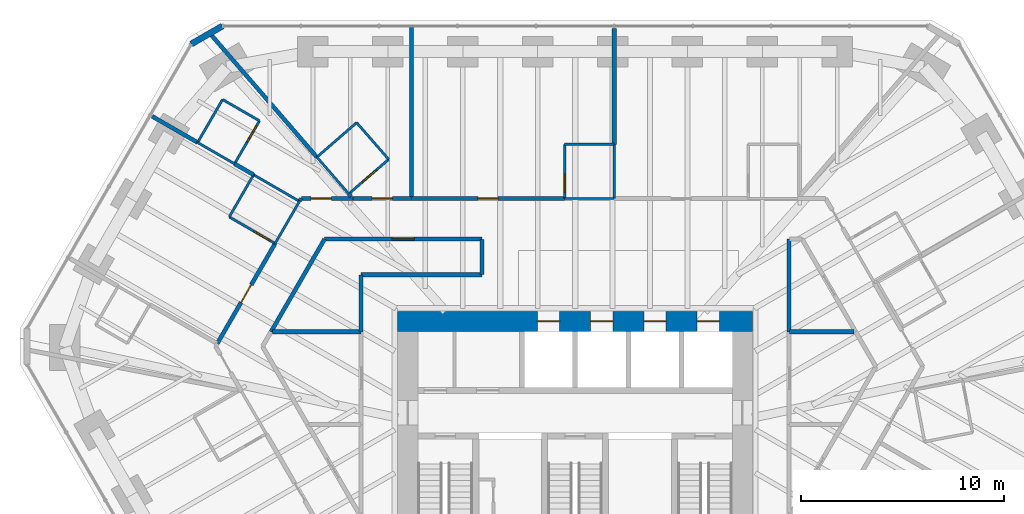
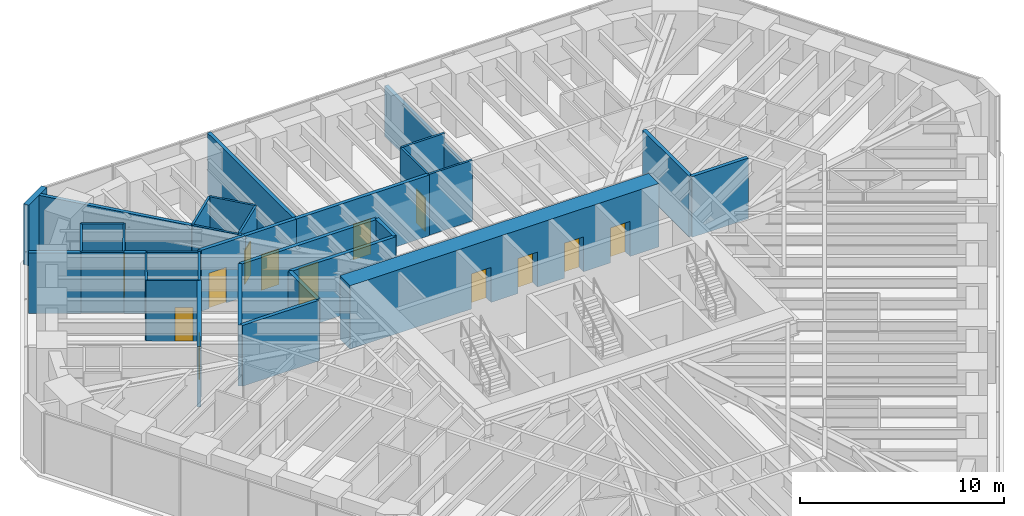
# One storey, part 14 of 16: 37 walls, 13 doors, 13 openings.
"""IFC4 building model written with IfcOpenShell, lengths in metres."""

from ifc_helpers import new_model, si_unit, direction, frame, frame_2d, origin, place, context, subcontext, project, spatial, rectangle, extrude, material, layer, layer_set, type_object, element, fill, save


model = new_model("IFC4")

# Units and contexts
model_context = context("Model", 3, precision=1e-05, world=origin(), true_north=direction((0.0, 1.0)))
body_context = subcontext(model_context, "Body", "Model", "MODEL_VIEW")
ifc_project = project(units=[si_unit("LENGTHUNIT", "METRE"), si_unit("AREAUNIT", "SQUARE_METRE"), si_unit("VOLUMEUNIT", "CUBIC_METRE"), si_unit("PLANEANGLEUNIT", "RADIAN"), si_unit("MASSUNIT", "GRAM", prefix="KILO")], contexts=[model_context])

# Site, building, storey
site_placement = place(None, origin())
site = spatial("IfcSite", under=ifc_project, at=site_placement, CompositionType="ELEMENT")
building_placement = place(site_placement, origin())
building = spatial("IfcBuilding", under=site, at=building_placement, Name="Sandreach Pilgrim Tower", CompositionType="ELEMENT")
storey_placement = place(building_placement, frame((0.0, 0.0, 202.199951171875)))
storey = spatial("IfcBuildingStorey", under=building, at=storey_placement, Name="L50", CompositionType="ELEMENT", Elevation=202.199951171875)

# Walls
ifc_material_1 = material(Name="Moisture-resistant gypsum board on steel studs", Category="steel")
ifc_layer_1 = layer(ifc_material_1, 0.1201171875)
ifc_layer_set_1 = layer_set([ifc_layer_1], Name="Bathroom partition 120")
wall_type_1 = type_object("IfcWallType", Name="Bathroom partition 120", PredefinedType="PARTITIONING", material=ifc_layer_set_1)
wall_1_placement = place(storey_placement, frame((-18.610107421875, 15.419921875, 0.0), z_axis=(0.0, 0.0, 1.0), x_axis=(0.86618365172, -0.499725806311, 0.0)))
element("IfcWall", 1, at=wall_1_placement, inside=storey, type_object=wall_type_1, Name="Bathroom partition L50-011", PredefinedType="PARTITIONING", context=body_context, shape_type="SweptSolid", body=[
    extrude(rectangle(XDim=2.101318359375, YDim=0.1201171875, at=frame_2d((1.05078125, 0.0))), origin(), (0.0, 0.0, 1.0), 3.64013671875),
])
wall_2_placement = place(storey_placement, frame((-17.3798828125, 17.5400390625, 0.0), z_axis=(0.0, 0.0, 1.0), x_axis=(-0.501888006485, -0.864932615264, 0.0)))
element("IfcWall", 2, at=wall_2_placement, inside=storey, type_object=wall_type_1, Name="Bathroom partition L50-016", PredefinedType="PARTITIONING", context=body_context, shape_type="SweptSolid", body=[
    extrude(rectangle(XDim=2.451171875, YDim=0.1201171875, at=frame_2d((1.2255859375, 0.0))), origin(), (0.0, 0.0, 1.0), 3.64013671875),
])

# Wall, opening, door
wall_3_placement = place(storey_placement, frame((-17.050048828125, 11.75, 0.0), z_axis=(0.0, 0.0, 1.0), x_axis=(0.865155281359, -0.50150407689, 0.0)))
wall_3 = element("IfcWall", 3, at=wall_3_placement, inside=storey, type_object=wall_type_1, Name="Bathroom partition L50-017", PredefinedType="PARTITIONING", context=body_context, shape_type="SweptSolid", body=[
    extrude(rectangle(XDim=2.6123046875, YDim=0.1201171875, at=frame_2d((1.30615234375, 0.0))), origin(), (0.0, 0.0, 1.0), 3.64013671875),
])
opening_1_placement = place(wall_3_placement, frame((1.412109375, 0.0, 0.0)))
opening_1 = element("IfcOpeningElement", 4, at=opening_1_placement, cuts=wall_3, Name="Opening D09-16B", PredefinedType="OPENING", context=body_context, shape_type="SweptSolid", body=[
    extrude(rectangle(XDim=0.89990234375, YDim=2.030029296875, at=frame_2d((0.449951171875, 1.01513671875))), frame((0.0, 0.06005859375, 0.0), z_axis=(0.0, -1.0, 0.0), x_axis=(1.0, 0.0, 0.0)), (0.0, 0.0, 1.0), 0.1201171875),
])
ifc_material_2 = material(Name="Timber door, steel frame", Category="steel")
door_type_1 = type_object("IfcDoorType", Name="Bathroom door", OperationType="SINGLE_SWING_LEFT", PredefinedType="DOOR", material=ifc_material_2)
door_1_placement = place(opening_1_placement, origin())
door_1 = element("IfcDoor", 5, at=door_1_placement, inside=storey, type_object=door_type_1, Name="Door 5016B", OperationType="SINGLE_SWING_RIGHT", OverallHeight=2.030029296875, OverallWidth=0.89990234375, PredefinedType="DOOR", context=body_context, shape_type="SweptSolid", body=[
    extrude(rectangle(XDim=0.89990234375, YDim=2.030029296875, at=frame_2d((0.449951171875, 1.01513671875))), frame((0.0, 0.02490234375, 0.0), z_axis=(0.0, -1.0, 0.0), x_axis=(1.0, 0.0, 0.0)), (0.0, 0.0, 1.0), 0.050048828125),
])
fill(opening_1, door_1)

wall_4_placement = place(storey_placement, frame((-16.7900390625, 14.3701171875, 0.0), z_axis=(0.0, 0.0, 1.0), x_axis=(0.501856726365, 0.86495076519, 0.0)))
wall_4 = element("IfcWall", 6, at=wall_4_placement, inside=storey, type_object=wall_type_1, Name="Bathroom partition L50-019", PredefinedType="PARTITIONING", context=body_context, shape_type="SweptSolid", body=[
    extrude(rectangle(XDim=2.450927734375, YDim=0.1201171875, at=frame_2d((1.2255859375, 0.0))), origin(), (0.0, 0.0, 1.0), 3.64013671875),
])
opening_2_placement = place(wall_4_placement, frame((1.2509765625, 0.0, 0.0)))
opening_2 = element("IfcOpeningElement", 7, at=opening_2_placement, cuts=wall_4, Name="Opening D09-17B", PredefinedType="OPENING", context=body_context, shape_type="SweptSolid", body=[
    extrude(rectangle(XDim=0.89990234375, YDim=2.030029296875, at=frame_2d((0.449951171875, 1.01513671875))), frame((0.0, 0.06005859375, 0.0), z_axis=(0.0, -1.0, 0.0), x_axis=(1.0, 0.0, 0.0)), (0.0, 0.0, 1.0), 0.1201171875),
])
door_2_placement = place(opening_2_placement, origin())
door_2 = element("IfcDoor", 8, at=door_2_placement, inside=storey, type_object=door_type_1, Name="Door 5017B", OperationType="SINGLE_SWING_RIGHT", OverallHeight=2.030029296875, OverallWidth=0.89990234375, PredefinedType="DOOR", context=body_context, shape_type="SweptSolid", body=[
    extrude(rectangle(XDim=0.89990234375, YDim=2.030029296875, at=frame_2d((0.449951171875, 1.01513671875))), frame((0.0, 0.02490234375, 0.0), z_axis=(0.0, -1.0, 0.0), x_axis=(1.0, 0.0, 0.0)), (0.0, 0.0, 1.0), 0.050048828125),
])
fill(opening_2, door_2)

# Walls
wall_5_placement = place(storey_placement, frame((-15.85009765625, 13.830078125, 0.0), z_axis=(0.0, 0.0, 1.0), x_axis=(-0.499693115345, -0.866202511239, 0.0)))
element("IfcWall", 9, at=wall_5_placement, inside=storey, type_object=wall_type_1, Name="Bathroom partition L50-023", PredefinedType="PARTITIONING", context=body_context, shape_type="SweptSolid", body=[
    extrude(rectangle(XDim=2.4013671875, YDim=0.1201171875, at=frame_2d((1.20068359375, 0.0))), origin(), (0.0, 0.0, 1.0), 3.64013671875),
])
wall_6_placement = place(storey_placement, frame((-15.85009765625, 13.830078125, 0.0), z_axis=(0.0, 0.0, 1.0), x_axis=(0.865155281359, -0.50150407689, 0.0)))
element("IfcWall", 10, at=wall_6_placement, inside=storey, type_object=wall_type_1, Name="Bathroom partition L50-024", PredefinedType="PARTITIONING", context=body_context, shape_type="SweptSolid", body=[
    extrude(rectangle(XDim=2.6123046875, YDim=0.1201171875, at=frame_2d((1.30615234375, 0.0))), origin(), (0.0, 0.0, 1.0), 3.64013671875),
])
wall_7_placement = place(storey_placement, frame((-15.56005859375, 16.489990234375, 0.0), z_axis=(0.0, 0.0, 1.0), x_axis=(-0.86618365172, 0.499725806311, 0.0)))
element("IfcWall", 11, at=wall_7_placement, inside=storey, type_object=wall_type_1, Name="Bathroom partition L50-025", PredefinedType="PARTITIONING", context=body_context, shape_type="SweptSolid", body=[
    extrude(rectangle(XDim=2.101318359375, YDim=0.1201171875, at=frame_2d((1.05078125, 0.0))), origin(), (0.0, 0.0, 1.0), 3.64013671875),
])
wall_8_placement = place(storey_placement, frame((-14.7919921875, 10.441162109375, 0.0), z_axis=(0.0, 0.0, 1.0), x_axis=(0.501340276177, 0.865250210912, 0.0)))
element("IfcWall", 12, at=wall_8_placement, inside=storey, type_object=wall_type_1, Name="Bathroom partition L50-030", PredefinedType="PARTITIONING", context=body_context, shape_type="SweptSolid", body=[
    extrude(rectangle(XDim=2.437255859375, YDim=0.1201171875, at=frame_2d((1.21875, 0.0))), origin(), (0.0, 0.0, 1.0), 3.64013671875),
])
wall_9_placement = place(storey_placement, frame((-12.72998046875, 14.699951171875, 0.0), z_axis=(0.0, 0.0, 1.0), x_axis=(0.655302876176, -0.755366229372, 0.0)))
element("IfcWall", 13, at=wall_9_placement, inside=storey, type_object=wall_type_1, Name="Bathroom partition L50-037", PredefinedType="PARTITIONING", context=body_context, shape_type="SweptSolid", body=[
    extrude(rectangle(XDim=2.39599609375, YDim=0.1201171875, at=frame_2d((1.197998046875, 0.0))), origin(), (0.0, 0.0, 1.0), 3.64013671875),
])

# Wall, opening, door
wall_10_placement = place(storey_placement, frame((-11.159912109375, 12.889892578125, 0.0), z_axis=(0.0, 0.0, 1.0), x_axis=(0.757040252764, 0.65336823897, 0.0)))
wall_10 = element("IfcWall", 14, at=wall_10_placement, inside=storey, type_object=wall_type_1, Name="Bathroom partition L50-041", PredefinedType="PARTITIONING", context=body_context, shape_type="SweptSolid", body=[
    extrude(rectangle(XDim=2.602294921875, YDim=0.1201171875, at=frame_2d((1.30126953125, 0.0))), origin(), (0.0, 0.0, 1.0), 3.64013671875),
])
opening_3_placement = place(wall_10_placement, frame((0.89990234375, 0.0, 0.0)))
opening_3 = element("IfcOpeningElement", 15, at=opening_3_placement, cuts=wall_10, Name="Opening D09-01B", PredefinedType="OPENING", context=body_context, shape_type="SweptSolid", body=[
    extrude(rectangle(XDim=0.89990234375, YDim=2.030029296875, at=frame_2d((0.449951171875, 1.01513671875))), frame((0.0, 0.06005859375, 0.0), z_axis=(0.0, -1.0, 0.0), x_axis=(1.0, 0.0, 0.0)), (0.0, 0.0, 1.0), 0.1201171875),
])
door_3_placement = place(opening_3_placement, origin())
door_3 = element("IfcDoor", 16, at=door_3_placement, inside=storey, type_object=door_type_1, Name="Door 5001B", OperationType="SINGLE_SWING_RIGHT", OverallHeight=2.030029296875, OverallWidth=0.89990234375, PredefinedType="DOOR", context=body_context, shape_type="SweptSolid", body=[
    extrude(rectangle(XDim=0.89990234375, YDim=2.030029296875, at=frame_2d((0.449951171875, 1.01513671875))), frame((0.0, 0.02490234375, 0.0), z_axis=(0.0, -1.0, 0.0), x_axis=(1.0, 0.0, 0.0)), (0.0, 0.0, 1.0), 0.050048828125),
])
fill(opening_3, door_3)

# Walls
wall_11_placement = place(storey_placement, frame((-10.77001953125, 16.39990234375, 0.0), z_axis=(0.0, 0.0, 1.0), x_axis=(-0.755437535555, -0.655220672655, 0.0)))
element("IfcWall", 17, at=wall_11_placement, inside=storey, type_object=wall_type_1, Name="Bathroom partition L50-043", PredefinedType="PARTITIONING", context=body_context, shape_type="SweptSolid", body=[
    extrude(rectangle(XDim=2.594482421875, YDim=0.1201171875, at=frame_2d((1.29736328125, 0.0))), origin(), (0.0, 0.0, 1.0), 3.64013671875),
])
wall_12_placement = place(storey_placement, frame((-9.18994140625, 14.590087890625, 0.0), z_axis=(0.0, 0.0, 1.0), x_axis=(-0.65767687105, 0.75330016148, 0.0)))
element("IfcWall", 18, at=wall_12_placement, inside=storey, type_object=wall_type_1, Name="Bathroom partition L50-050", PredefinedType="PARTITIONING", context=body_context, shape_type="SweptSolid", body=[
    extrude(rectangle(XDim=2.402587890625, YDim=0.1201171875, at=frame_2d((1.201171875, 0.0))), origin(), (0.0, 0.0, 1.0), 3.64013671875),
])

# Wall, opening, door
wall_13_placement = place(storey_placement, frame((-0.52001953125, 15.330078125, 0.0), z_axis=(0.0, 0.0, 1.0), x_axis=(0.0, -1.0, 0.0)))
wall_13 = element("IfcWall", 19, at=wall_13_placement, inside=storey, type_object=wall_type_1, Name="Bathroom partition L50-081", PredefinedType="PARTITIONING", context=body_context, shape_type="SweptSolid", body=[
    extrude(rectangle(XDim=2.670166015625, YDim=0.1201171875, at=frame_2d((1.3349609375, 0.0))), origin(), (0.0, 0.0, 1.0), 3.64013671875),
])
opening_4_placement = place(wall_13_placement, frame((1.469970703125, 0.0, 0.0)))
opening_4 = element("IfcOpeningElement", 20, at=opening_4_placement, cuts=wall_13, Name="Opening D09-02B", PredefinedType="OPENING", context=body_context, shape_type="SweptSolid", body=[
    extrude(rectangle(XDim=0.89990234375, YDim=2.030029296875, at=frame_2d((0.449951171875, 1.01513671875))), frame((0.0, 0.06005859375, 0.0), z_axis=(0.0, -1.0, 0.0), x_axis=(1.0, 0.0, 0.0)), (0.0, 0.0, 1.0), 0.1201171875),
])
door_4_placement = place(opening_4_placement, origin())
door_4 = element("IfcDoor", 21, at=door_4_placement, inside=storey, type_object=door_type_1, Name="Door 5002B", OperationType="SINGLE_SWING_RIGHT", OverallHeight=2.030029296875, OverallWidth=0.89990234375, PredefinedType="DOOR", context=body_context, shape_type="SweptSolid", body=[
    extrude(rectangle(XDim=0.89990234375, YDim=2.030029296875, at=frame_2d((0.449951171875, 1.01513671875))), frame((0.0, 0.02490234375, 0.0), z_axis=(0.0, -1.0, 0.0), x_axis=(1.0, 0.0, 0.0)), (0.0, 0.0, 1.0), 0.050048828125),
])
fill(opening_4, door_4)

# Walls
for number, where, z_axis, x_axis, name in (
    (22, (1.929931640625, 12.659912109375, 0.0), (0.0, 0.0, 1.0), (-1.0, 0.0, 0.0), "Bathroom partition L50-084"),
    (23, (1.929931640625, 15.330078125, 0.0), (0.0, 0.0, 1.0), (-1.0, 0.0, 0.0), "Bathroom partition L50-085"),
):
    element("IfcWall", number, at=place(storey_placement, frame(where, z_axis=z_axis, x_axis=x_axis)), inside=storey, type_object=wall_type_1, Name=name, PredefinedType="PARTITIONING", context=body_context, shape_type="SweptSolid", body=[
        extrude(rectangle(XDim=2.449951171875, YDim=0.1201171875, at=frame_2d((1.22509765625, 0.0))), origin(), (0.0, 0.0, 1.0), 3.64013671875),
    ])
wall_14_placement = place(storey_placement, frame((1.929931640625, 15.330078125, 0.0), z_axis=(0.0, 0.0, 1.0), x_axis=(0.0, -1.0, 0.0)))
element("IfcWall", 24, at=wall_14_placement, inside=storey, type_object=wall_type_1, Name="Bathroom partition L50-086", PredefinedType="PARTITIONING", context=body_context, shape_type="SweptSolid", body=[
    extrude(rectangle(XDim=2.670166015625, YDim=0.1201171875, at=frame_2d((1.3349609375, 0.0))), origin(), (0.0, 0.0, 1.0), 3.02294921875),
])

# Wall, openings, doors
ifc_material_3 = material(Name="Concrete 10000 psi", Category="concrete")
ifc_layer_2 = layer(ifc_material_3, 1.0)
ifc_layer_set_2 = layer_set([ifc_layer_2], Name="Core wall 1000")
wall_type_2 = type_object("IfcWallType", Name="Core wall 1000", PredefinedType="SHEAR", material=ifc_layer_set_2)
wall_15_placement = place(storey_placement, frame((-8.75, 6.60009765625, 0.0), z_axis=(0.0, 0.0, 1.0), x_axis=(1.0, 0.0, 0.0)))
wall_15 = element("IfcWall", 25, at=wall_15_placement, inside=storey, type_object=wall_type_2, Name="Core wall N L50", PredefinedType="SHEAR", context=body_context, shape_type="SweptSolid", body=[
    extrude(rectangle(XDim=17.5, YDim=1.0, at=frame_2d((8.75, 0.0))), origin(), (0.0, 0.0, 1.0), 3.800048828125),
])
opening_5_placement = place(wall_15_placement, frame((6.887451171875, 0.0, 0.0)))
opening_5 = element("IfcOpeningElement", 26, at=opening_5_placement, cuts=wall_15, Name="Opening LD11", PredefinedType="OPENING", context=body_context, shape_type="SweptSolid", body=[
    extrude(rectangle(XDim=1.10009765625, YDim=2.10009765625, at=frame_2d((0.550048828125, 1.050048828125))), frame((0.0, 0.5, 0.0), z_axis=(0.0, -1.0, 0.0), x_axis=(1.0, 0.0, 0.0)), (0.0, 0.0, 1.0), 1.0),
])
opening_6_placement = place(wall_15_placement, frame((9.512451171875, 0.0, 0.0)))
opening_6 = element("IfcOpeningElement", 27, at=opening_6_placement, cuts=wall_15, Name="Opening LD11", PredefinedType="OPENING", context=body_context, shape_type="SweptSolid", body=[
    extrude(rectangle(XDim=1.10009765625, YDim=2.10009765625, at=frame_2d((0.550048828125, 1.050048828125))), frame((0.0, 0.5, 0.0), z_axis=(0.0, -1.0, 0.0), x_axis=(1.0, 0.0, 0.0)), (0.0, 0.0, 1.0), 1.0),
])
opening_7_placement = place(wall_15_placement, frame((12.137451171875, 0.0, 0.0)))
opening_7 = element("IfcOpeningElement", 28, at=opening_7_placement, cuts=wall_15, Name="Opening LD11", PredefinedType="OPENING", context=body_context, shape_type="SweptSolid", body=[
    extrude(rectangle(XDim=1.10009765625, YDim=2.10009765625, at=frame_2d((0.550048828125, 1.050048828125))), frame((0.0, 0.5, 0.0), z_axis=(0.0, -1.0, 0.0), x_axis=(1.0, 0.0, 0.0)), (0.0, 0.0, 1.0), 1.0),
])
opening_8_placement = place(wall_15_placement, frame((14.762451171875, 0.0, 0.0)))
opening_8 = element("IfcOpeningElement", 29, at=opening_8_placement, cuts=wall_15, Name="Opening LD11", PredefinedType="OPENING", context=body_context, shape_type="SweptSolid", body=[
    extrude(rectangle(XDim=1.10009765625, YDim=2.10009765625, at=frame_2d((0.550048828125, 1.050048828125))), frame((0.0, 0.5, 0.0), z_axis=(0.0, -1.0, 0.0), x_axis=(1.0, 0.0, 0.0)), (0.0, 0.0, 1.0), 1.0),
])
ifc_material_4 = material(Name="Steel door and frame", Category="steel")
door_type_2 = type_object("IfcDoorType", Name="Lift landing door", OperationType="DOUBLE_DOOR_SLIDING", PredefinedType="DOOR", material=ifc_material_4)
door_5_placement = place(opening_5_placement, origin())
door_5 = element("IfcDoor", 30, at=door_5_placement, inside=storey, type_object=door_type_2, Name="Lift landing door Z3A L50", OperationType="DOUBLE_DOOR_SLIDING", OverallHeight=2.10009765625, OverallWidth=1.10009765625, PredefinedType="DOOR", context=body_context, shape_type="SweptSolid", body=[
    extrude(rectangle(XDim=1.10009765625, YDim=2.10009765625, at=frame_2d((0.550048828125, 1.050048828125))), frame((0.0, 0.02490234375, 0.0), z_axis=(0.0, -1.0, 0.0), x_axis=(1.0, 0.0, 0.0)), (0.0, 0.0, 1.0), 0.050048828125),
])
fill(opening_5, door_5)
door_6_placement = place(opening_6_placement, origin())
door_6 = element("IfcDoor", 31, at=door_6_placement, inside=storey, type_object=door_type_2, Name="Lift landing door Z3B L50", OperationType="DOUBLE_DOOR_SLIDING", OverallHeight=2.10009765625, OverallWidth=1.10009765625, PredefinedType="DOOR", context=body_context, shape_type="SweptSolid", body=[
    extrude(rectangle(XDim=1.10009765625, YDim=2.10009765625, at=frame_2d((0.550048828125, 1.050048828125))), frame((0.0, 0.02490234375, 0.0), z_axis=(0.0, -1.0, 0.0), x_axis=(1.0, 0.0, 0.0)), (0.0, 0.0, 1.0), 0.050048828125),
])
fill(opening_6, door_6)
door_7_placement = place(opening_7_placement, origin())
door_7 = element("IfcDoor", 32, at=door_7_placement, inside=storey, type_object=door_type_2, Name="Lift landing door Z3C L50", OperationType="DOUBLE_DOOR_SLIDING", OverallHeight=2.10009765625, OverallWidth=1.10009765625, PredefinedType="DOOR", context=body_context, shape_type="SweptSolid", body=[
    extrude(rectangle(XDim=1.10009765625, YDim=2.10009765625, at=frame_2d((0.550048828125, 1.050048828125))), frame((0.0, 0.02490234375, 0.0), z_axis=(0.0, -1.0, 0.0), x_axis=(1.0, 0.0, 0.0)), (0.0, 0.0, 1.0), 0.050048828125),
])
fill(opening_7, door_7)
door_8_placement = place(opening_8_placement, origin())
door_8 = element("IfcDoor", 33, at=door_8_placement, inside=storey, type_object=door_type_2, Name="Lift landing door Z3D L50", OperationType="DOUBLE_DOOR_SLIDING", OverallHeight=2.10009765625, OverallWidth=1.10009765625, PredefinedType="DOOR", context=body_context, shape_type="SweptSolid", body=[
    extrude(rectangle(XDim=1.10009765625, YDim=2.10009765625, at=frame_2d((0.550048828125, 1.050048828125))), frame((0.0, 0.02490234375, 0.0), z_axis=(0.0, -1.0, 0.0), x_axis=(1.0, 0.0, 0.0)), (0.0, 0.0, 1.0), 0.050048828125),
])
fill(opening_8, door_8)

# Wall, opening, door
ifc_material_5 = material(Name="Gypsum board on steel studs, two layers each side", Category="steel")
ifc_layer_3 = layer(ifc_material_5, 0.199951171875)
ifc_layer_set_3 = layer_set([ifc_layer_3], Name="Corridor wall 200")
wall_type_3 = type_object("IfcWallType", Name="Corridor wall 200", PredefinedType="PARTITIONING", material=ifc_layer_set_3)
wall_16_placement = place(storey_placement, frame((-17.639892578125, 5.510009765625, 0.0), z_axis=(0.0, 0.0, 1.0), x_axis=(0.500468304441, 0.865754859212, 0.0)))
wall_16 = element("IfcWall", 34, at=wall_16_placement, inside=storey, type_object=wall_type_3, Name="Corridor wall L50-013", PredefinedType="PARTITIONING", context=body_context, shape_type="SweptSolid", body=[
    extrude(rectangle(XDim=5.6943359375, YDim=0.199951171875, at=frame_2d((2.84716796875, 0.0))), origin(), (0.0, 0.0, 1.0), 3.64013671875),
])
opening_9_placement = place(wall_16_placement, frame((2.347412109375, 0.0, 0.0)))
opening_9 = element("IfcOpeningElement", 35, at=opening_9_placement, cuts=wall_16, Name="Opening D10-16", PredefinedType="OPENING", context=body_context, shape_type="SweptSolid", body=[
    extrude(rectangle(XDim=1.0, YDim=2.1298828125, at=frame_2d((0.5, 1.06494140625))), frame((0.0, 0.10009765625, 0.0), z_axis=(0.0, -1.0, 0.0), x_axis=(1.0, 0.0, 0.0)), (0.0, 0.0, 1.0), 0.199951171875),
])
ifc_material_6 = material(Name="Steel door and frame", Category="steel")
door_type_3 = type_object("IfcDoorType", Name="Guest room entry door", OperationType="SINGLE_SWING_LEFT", PredefinedType="DOOR", material=ifc_material_6)
door_9_placement = place(opening_9_placement, origin())
door_9 = element("IfcDoor", 36, at=door_9_placement, inside=storey, type_object=door_type_3, Name="Door 5016", OperationType="SINGLE_SWING_LEFT", OverallHeight=2.1298828125, OverallWidth=1.0, PredefinedType="DOOR", context=body_context, shape_type="SweptSolid", body=[
    extrude(rectangle(XDim=1.0, YDim=2.1298828125, at=frame_2d((0.5, 1.06494140625))), frame((0.0, 0.02490234375, 0.0), z_axis=(0.0, -1.0, 0.0), x_axis=(1.0, 0.0, 0.0)), (0.0, 0.0, 1.0), 0.050048828125),
])
fill(opening_9, door_9)

# Walls
wall_17_placement = place(storey_placement, frame((-14.989990234375, 6.090087890625, 0.0), z_axis=(0.0, 0.0, 1.0), x_axis=(0.500213626659, 0.86590203124, 0.0)))
element("IfcWall", 37, at=wall_17_placement, inside=storey, type_object=wall_type_3, Name="Corridor wall L50-028", PredefinedType="PARTITIONING", context=body_context, shape_type="SweptSolid", body=[
    extrude(rectangle(XDim=5.277587890625, YDim=0.199951171875, at=frame_2d((2.638671875, 0.0))), origin(), (0.0, 0.0, 1.0), 3.64013671875),
])
wall_18_placement = place(storey_placement, frame((-13.5, 12.659912109375, 0.0), z_axis=(0.0, 0.0, 1.0), x_axis=(-0.537723852201, -0.843121022614, 0.0)))
element("IfcWall", 38, at=wall_18_placement, inside=storey, type_object=wall_type_3, Name="Corridor wall L50-034", PredefinedType="PARTITIONING", context=body_context, shape_type="SweptSolid", body=[
    extrude(rectangle(XDim=0.13037109375, YDim=0.199951171875, at=frame_2d((0.065185546875, 0.0))), origin(), (0.0, 0.0, 1.0), 3.64013671875),
])

# Wall, opening, door
wall_19_placement = place(storey_placement, frame((-12.35009765625, 10.659912109375, 0.0), z_axis=(0.0, 0.0, 1.0), x_axis=(1.0, 0.0, 0.0)))
wall_19 = element("IfcWall", 39, at=wall_19_placement, inside=storey, type_object=wall_type_3, Name="Corridor wall L50-038", PredefinedType="PARTITIONING", context=body_context, shape_type="SweptSolid", body=[
    extrude(rectangle(XDim=7.75, YDim=0.199951171875, at=frame_2d((3.875, 0.0))), origin(), (0.0, 0.0, 1.0), 3.64013671875),
])
opening_10_placement = place(wall_19_placement, frame((3.324951171875, 0.0, 0.0)))
opening_10 = element("IfcOpeningElement", 40, at=opening_10_placement, cuts=wall_19, Name="Opening D11H-M03", PredefinedType="OPENING", context=body_context, shape_type="SweptSolid", body=[
    extrude(rectangle(XDim=1.10009765625, YDim=2.199951171875, at=frame_2d((0.550048828125, 1.10009765625))), frame((0.0, 0.10009765625, 0.0), z_axis=(0.0, -1.0, 0.0), x_axis=(1.0, 0.0, 0.0)), (0.0, 0.0, 1.0), 0.199951171875),
])
ifc_material_7 = material(Name="Steel door and frame", Category="steel")
door_type_4 = type_object("IfcDoorType", Name="Back of house door", OperationType="SINGLE_SWING_LEFT", PredefinedType="DOOR", material=ifc_material_7)
door_10_placement = place(opening_10_placement, origin())
door_10 = element("IfcDoor", 41, at=door_10_placement, inside=storey, type_object=door_type_4, Name="Door 50M03", OperationType="SINGLE_SWING_LEFT", OverallHeight=2.199951171875, OverallWidth=1.10009765625, PredefinedType="DOOR", context=body_context, shape_type="SweptSolid", body=[
    extrude(rectangle(XDim=1.10009765625, YDim=2.199951171875, at=frame_2d((0.550048828125, 1.10009765625))), frame((0.0, 0.02490234375, 0.0), z_axis=(0.0, -1.0, 0.0), x_axis=(1.0, 0.0, 0.0)), (0.0, 0.0, 1.0), 0.050048828125),
])
fill(opening_10, door_10)

wall_20_placement = place(storey_placement, frame((-10.9599609375, 12.659912109375, 0.0), z_axis=(0.0, 0.0, 1.0), x_axis=(-1.0, 0.0, 0.0)))
wall_20 = element("IfcWall", 42, at=wall_20_placement, inside=storey, type_object=wall_type_3, Name="Corridor wall L50-042", PredefinedType="PARTITIONING", context=body_context, shape_type="SweptSolid", body=[
    extrude(rectangle(XDim=2.5400390625, YDim=0.199951171875, at=frame_2d((1.27001953125, 0.0))), origin(), (0.0, 0.0, 1.0), 3.64013671875),
])
opening_11_placement = place(wall_20_placement, frame((1.050048828125, 0.0, 0.0)))
opening_11 = element("IfcOpeningElement", 43, at=opening_11_placement, cuts=wall_20, Name="Opening D10-17", PredefinedType="OPENING", context=body_context, shape_type="SweptSolid", body=[
    extrude(rectangle(XDim=1.0, YDim=2.1298828125, at=frame_2d((0.5, 1.06494140625))), frame((0.0, 0.10009765625, 0.0), z_axis=(0.0, -1.0, 0.0), x_axis=(1.0, 0.0, 0.0)), (0.0, 0.0, 1.0), 0.199951171875),
])
door_11_placement = place(opening_11_placement, origin())
door_11 = element("IfcDoor", 44, at=door_11_placement, inside=storey, type_object=door_type_3, Name="Door 5017", OperationType="SINGLE_SWING_RIGHT", OverallHeight=2.1298828125, OverallWidth=1.0, PredefinedType="DOOR", context=body_context, shape_type="SweptSolid", body=[
    extrude(rectangle(XDim=1.0, YDim=2.1298828125, at=frame_2d((0.5, 1.06494140625))), frame((0.0, 0.02490234375, 0.0), z_axis=(0.0, -1.0, 0.0), x_axis=(1.0, 0.0, 0.0)), (0.0, 0.0, 1.0), 0.050048828125),
])
fill(opening_11, door_11)

# Wall
wall_21_placement = place(storey_placement, frame((-10.550048828125, 8.889892578125, 0.0), z_axis=(0.0, 0.0, 1.0), x_axis=(0.0, -1.0, 0.0)))
element("IfcWall", 45, at=wall_21_placement, inside=storey, type_object=wall_type_3, Name="Corridor wall L50-049", PredefinedType="PARTITIONING", context=body_context, shape_type="SweptSolid", body=[
    extrude(rectangle(XDim=2.7998046875, YDim=0.199951171875, at=frame_2d((1.39990234375, 0.0))), origin(), (0.0, 0.0, 1.0), 3.64013671875),
])

# Wall, opening, door
wall_22_placement = place(storey_placement, frame((-8.06005859375, 12.659912109375, 0.0), z_axis=(0.0, 0.0, 1.0), x_axis=(-1.0, 0.0, 0.0)))
wall_22 = element("IfcWall", 46, at=wall_22_placement, inside=storey, type_object=wall_type_3, Name="Corridor wall L50-053", PredefinedType="PARTITIONING", context=body_context, shape_type="SweptSolid", body=[
    extrude(rectangle(XDim=2.89990234375, YDim=0.199951171875, at=frame_2d((1.449951171875, 0.0))), origin(), (0.0, 0.0, 1.0), 3.64013671875),
])
opening_12_placement = place(wall_22_placement, frame((0.949951171875, 0.0, 0.0)))
opening_12 = element("IfcOpeningElement", 47, at=opening_12_placement, cuts=wall_22, Name="Opening D10-01", PredefinedType="OPENING", context=body_context, shape_type="SweptSolid", body=[
    extrude(rectangle(XDim=1.0, YDim=2.1298828125, at=frame_2d((0.5, 1.06494140625))), frame((0.0, 0.10009765625, 0.0), z_axis=(0.0, -1.0, 0.0), x_axis=(1.0, 0.0, 0.0)), (0.0, 0.0, 1.0), 0.199951171875),
])
door_12_placement = place(opening_12_placement, origin())
door_12 = element("IfcDoor", 48, at=door_12_placement, inside=storey, type_object=door_type_3, Name="Door 5001", OperationType="SINGLE_SWING_LEFT", OverallHeight=2.1298828125, OverallWidth=1.0, PredefinedType="DOOR", context=body_context, shape_type="SweptSolid", body=[
    extrude(rectangle(XDim=1.0, YDim=2.1298828125, at=frame_2d((0.5, 1.06494140625))), frame((0.0, 0.02490234375, 0.0), z_axis=(0.0, -1.0, 0.0), x_axis=(1.0, 0.0, 0.0)), (0.0, 0.0, 1.0), 0.050048828125),
])
fill(opening_12, door_12)

# Walls
wall_23_placement = place(storey_placement, frame((-4.60009765625, 8.89990234375, 0.0), z_axis=(0.0, 0.0, 1.0), x_axis=(-1.0, 0.0, 0.0)))
element("IfcWall", 49, at=wall_23_placement, inside=storey, type_object=wall_type_3, Name="Corridor wall L50-063", PredefinedType="PARTITIONING", context=body_context, shape_type="SweptSolid", body=[
    extrude(rectangle(XDim=5.949951171875, YDim=0.199951171875, at=frame_2d((2.97509765625, 0.0))), origin(), (0.0, 0.0, 1.0), 3.64013671875),
])
wall_24_placement = place(storey_placement, frame((-4.60009765625, 10.64990234375, 0.0), z_axis=(0.0, 0.0, 1.0), x_axis=(0.0, -1.0, 0.0)))
element("IfcWall", 50, at=wall_24_placement, inside=storey, type_object=wall_type_3, Name="Corridor wall L50-064", PredefinedType="PARTITIONING", context=body_context, shape_type="SweptSolid", body=[
    extrude(rectangle(XDim=1.739990234375, YDim=0.199951171875, at=frame_2d((0.8701171875, 0.0))), origin(), (0.0, 0.0, 1.0), 3.64013671875),
])

# Wall, opening, door
wall_25_placement = place(storey_placement, frame((-0.52001953125, 12.659912109375, 0.0), z_axis=(0.0, 0.0, 1.0), x_axis=(-1.0, 0.0, 0.0)))
wall_25 = element("IfcWall", 51, at=wall_25_placement, inside=storey, type_object=wall_type_3, Name="Corridor wall L50-080", PredefinedType="PARTITIONING", context=body_context, shape_type="SweptSolid", body=[
    extrude(rectangle(XDim=7.5400390625, YDim=0.199951171875, at=frame_2d((3.77001953125, 0.0))), origin(), (0.0, 0.0, 1.0), 3.64013671875),
])
opening_13_placement = place(wall_25_placement, frame((3.27001953125, 0.0, 0.0)))
opening_13 = element("IfcOpeningElement", 52, at=opening_13_placement, cuts=wall_25, Name="Opening D10-02", PredefinedType="OPENING", context=body_context, shape_type="SweptSolid", body=[
    extrude(rectangle(XDim=1.0, YDim=2.1298828125, at=frame_2d((0.5, 1.06494140625))), frame((0.0, 0.10009765625, 0.0), z_axis=(0.0, -1.0, 0.0), x_axis=(1.0, 0.0, 0.0)), (0.0, 0.0, 1.0), 0.199951171875),
])
door_13_placement = place(opening_13_placement, origin())
door_13 = element("IfcDoor", 53, at=door_13_placement, inside=storey, type_object=door_type_3, Name="Door 5002", OperationType="SINGLE_SWING_LEFT", OverallHeight=2.1298828125, OverallWidth=1.0, PredefinedType="DOOR", context=body_context, shape_type="SweptSolid", body=[
    extrude(rectangle(XDim=1.0, YDim=2.1298828125, at=frame_2d((0.5, 1.06494140625))), frame((0.0, 0.02490234375, 0.0), z_axis=(0.0, -1.0, 0.0), x_axis=(1.0, 0.0, 0.0)), (0.0, 0.0, 1.0), 0.050048828125),
])
fill(opening_13, door_13)

# Walls
wall_26_placement = place(storey_placement, frame((10.550048828125, 6.090087890625, 0.0), z_axis=(0.0, 0.0, 1.0), x_axis=(0.0, 1.0, 0.0)))
element("IfcWall", 54, at=wall_26_placement, inside=storey, type_object=wall_type_3, Name="Corridor wall L50-109", PredefinedType="PARTITIONING", context=body_context, shape_type="SweptSolid", body=[
    extrude(rectangle(XDim=4.56982421875, YDim=0.199951171875, at=frame_2d((2.284912109375, 0.0))), origin(), (0.0, 0.0, 1.0), 3.64013671875),
])
ifc_material_8 = material(Name="Double steel stud acoustic wall, gypsum board", Category="steel")
ifc_layer_4 = layer(ifc_material_8, 0.199951171875)
ifc_layer_set_4 = layer_set([ifc_layer_4], Name="Party wall 200")
wall_type_4 = type_object("IfcWallType", Name="Party wall 200", PredefinedType="PARTITIONING", material=ifc_layer_set_4)
wall_27_placement = place(storey_placement, frame((-20.845947265625, 16.7099609375, 0.0), z_axis=(0.0, 0.0, 1.0), x_axis=(0.866163541035, -0.499760662899, 0.0)))
element("IfcWall", 55, at=wall_27_placement, inside=storey, type_object=wall_type_4, Name="Party wall L50-008", PredefinedType="PARTITIONING", context=body_context, shape_type="SweptSolid", body=[
    extrude(rectangle(XDim=2.581298828125, YDim=0.199951171875, at=frame_2d((1.29052734375, 0.0))), origin(), (0.0, 0.0, 1.0), 3.64013671875),
])
wall_28_placement = place(storey_placement, frame((-18.020263671875, 20.8173828125, 0.0), z_axis=(0.0, 0.0, 1.0), x_axis=(0.654118793629, -0.756391832201, 0.0)))
element("IfcWall", 56, at=wall_28_placement, inside=storey, type_object=wall_type_4, Name="Party wall L50-012", PredefinedType="PARTITIONING", context=body_context, shape_type="SweptSolid", body=[
    extrude(rectangle(XDim=8.087646484375, YDim=0.199951171875, at=frame_2d((4.0439453125, 0.0))), origin(), (0.0, 0.0, 1.0), 3.64013671875),
])
wall_29_placement = place(storey_placement, frame((-16.7900390625, 14.3701171875, 0.0), z_axis=(0.0, 0.0, 1.0), x_axis=(0.867132442133, -0.498077632303, 0.0)))
element("IfcWall", 57, at=wall_29_placement, inside=storey, type_object=wall_type_4, Name="Party wall L50-018", PredefinedType="PARTITIONING", context=body_context, shape_type="SweptSolid", body=[
    extrude(rectangle(XDim=1.084228515625, YDim=0.199951171875, at=frame_2d((0.5419921875, 0.0))), origin(), (0.0, 0.0, 1.0), 3.64013671875),
])
wall_30_placement = place(storey_placement, frame((-14.9150390625, 6.090087890625, 0.0), z_axis=(0.0, 0.0, 1.0), x_axis=(1.0, 0.0, 0.0)))
element("IfcWall", 58, at=wall_30_placement, inside=storey, type_object=wall_type_4, Name="Party wall L50-029", PredefinedType="PARTITIONING", context=body_context, shape_type="SweptSolid", body=[
    extrude(rectangle(XDim=4.35498046875, YDim=0.199951171875, at=frame_2d((2.177490234375, 0.0))), origin(), (0.0, 0.0, 1.0), 3.64013671875),
])
wall_31_placement = place(storey_placement, frame((-11.159912109375, 12.889892578125, 0.0), z_axis=(0.0, 0.0, 1.0), x_axis=(0.655728604214, -0.754996687155, 0.0)))
element("IfcWall", 59, at=wall_31_placement, inside=storey, type_object=wall_type_4, Name="Party wall L50-040", PredefinedType="PARTITIONING", context=body_context, shape_type="SweptSolid", body=[
    extrude(rectangle(XDim=0.174560546875, YDim=0.199951171875, at=frame_2d((0.08740234375, 0.0))), origin(), (0.0, 0.0, 1.0), 3.64013671875),
])
wall_32_placement = place(storey_placement, frame((-8.06005859375, 21.1298828125, 0.0), z_axis=(0.0, 0.0, 1.0), x_axis=(0.0, -1.0, 0.0)))
element("IfcWall", 60, at=wall_32_placement, inside=storey, type_object=wall_type_4, Name="Party wall L50-054", PredefinedType="PARTITIONING", context=body_context, shape_type="SweptSolid", body=[
    extrude(rectangle(XDim=8.4599609375, YDim=0.199951171875, at=frame_2d((4.22998046875, 0.0))), origin(), (0.0, 0.0, 1.0), 3.64013671875),
])
wall_33_placement = place(storey_placement, frame((1.929931640625, 21.0400390625, 0.0), z_axis=(0.0, 0.0, 1.0), x_axis=(0.0, -1.0, 0.0)))
element("IfcWall", 61, at=wall_33_placement, inside=storey, type_object=wall_type_4, Name="Party wall L50-087", PredefinedType="PARTITIONING", context=body_context, shape_type="SweptSolid", body=[
    extrude(rectangle(XDim=5.7099609375, YDim=0.199951171875, at=frame_2d((2.85498046875, 0.0))), origin(), (0.0, 0.0, 1.0), 3.02294921875),
])
wall_34_placement = place(storey_placement, frame((13.7548828125, 6.090087890625, 0.0), z_axis=(0.0, 0.0, 1.0), x_axis=(-1.0, 0.0, 0.0)))
element("IfcWall", 62, at=wall_34_placement, inside=storey, type_object=wall_type_4, Name="Party wall L50-126", PredefinedType="PARTITIONING", context=body_context, shape_type="SweptSolid", body=[
    extrude(rectangle(XDim=3.19482421875, YDim=0.199951171875, at=frame_2d((1.597412109375, 0.0))), origin(), (0.0, 0.0, 1.0), 3.64013671875),
])
ifc_material_9 = material(Name="Terracotta rainscreen on concrete", Category="masonry")
ifc_layer_5 = layer(ifc_material_9, 0.300048828125)
ifc_layer_set_5 = layer_set([ifc_layer_5], Name="Terracotta chamfer pier")
wall_type_5 = type_object("IfcWallType", Name="Terracotta chamfer pier", PredefinedType="SOLIDWALL", material=ifc_layer_set_5)
wall_35_placement = place(storey_placement, frame((-18.9228515625, 20.275146484375, 0.0), z_axis=(0.0, 0.0, 1.0), x_axis=(0.866036293601, 0.499981137809, 0.0)))
element("IfcWall", 63, at=wall_35_placement, inside=storey, type_object=wall_type_5, Name="Chamfer pier L50 NW", PredefinedType="SOLIDWALL", context=body_context, shape_type="SweptSolid", body=[
    extrude(rectangle(XDim=1.77001953125, YDim=0.300048828125, at=frame_2d((0.885009765625, 0.0))), origin(), (0.0, 0.0, 1.0), 3.64013671875),
])

save(model, "model.ifc")
